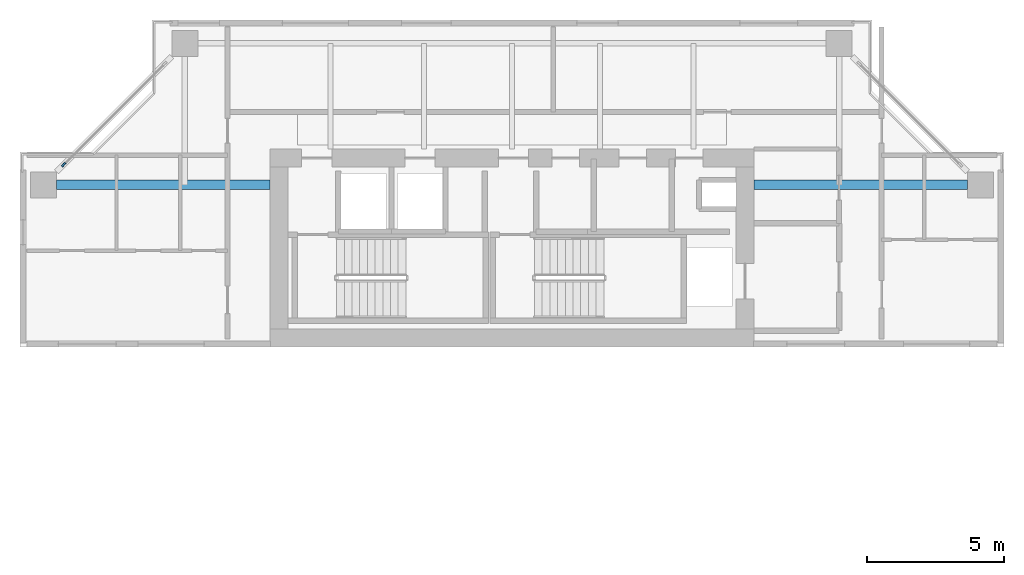
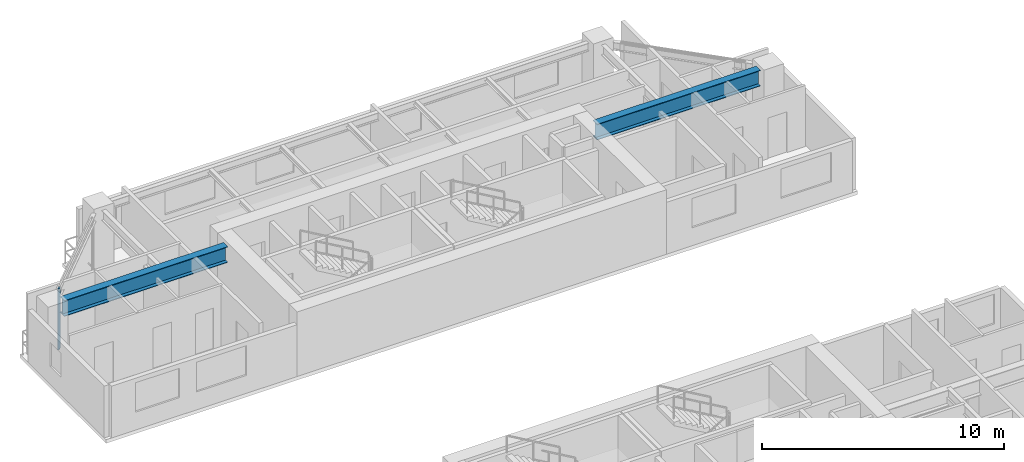
# One storey, part 3 of 12: 2 beams, 1 member, 1 element without a shape of its own.
"""IFC4 building model written with IfcOpenShell, lengths in metres."""

from ifc_helpers import new_model, si_unit, direction, frame, origin, origin_2d, place, context, subcontext, project, spatial, rectangle, i_section, extrude, source, transform, mapped, material, layer, layer_set, material_profile, profile_set, type_object, element, aggregate, save


model = new_model("IFC4")

# Units and contexts
model_context = context("Model", 3, precision=1e-05, world=origin(), true_north=direction((0.0, 1.0)))
body_context = subcontext(model_context, "Body", "Model", "MODEL_VIEW")
ifc_project = project(units=[si_unit("LENGTHUNIT", "METRE"), si_unit("AREAUNIT", "SQUARE_METRE"), si_unit("VOLUMEUNIT", "CUBIC_METRE"), si_unit("PLANEANGLEUNIT", "RADIAN"), si_unit("MASSUNIT", "GRAM", prefix="KILO"), si_unit("THERMODYNAMICTEMPERATUREUNIT", "KELVIN"), si_unit("POWERUNIT", "WATT")], contexts=[model_context])

# Site, building, storey
site_placement = place(None, origin())
site = spatial("IfcSite", under=ifc_project, at=site_placement, CompositionType="ELEMENT")
building_placement = place(site_placement, origin())
building = spatial("IfcBuilding", under=site, at=building_placement, Name="Qiaomeng Ring Towers", CompositionType="ELEMENT")
storey_placement = place(building_placement, frame((0.0, 0.0, 160.0)))
storey = spatial("IfcBuildingStorey", under=building, at=storey_placement, Name="L46", CompositionType="ELEMENT", Elevation=160.0)

# Beams
ifc_material_1 = material(Name="Steel Q390GJC", Category="steel")
ifc_material_profile_1 = material_profile(ifc_material_1, i_section(OverallWidth=0.35009765625, OverallDepth=0.800048828125, WebThickness=0.01611328125, FlangeThickness=0.028076171875, at=origin_2d()), Name="WH 800x350x16x28")
ifc_profile_set_1 = profile_set([ifc_material_profile_1], Name="Steel Q390GJC")
beam_type = type_object("IfcBeamType", Name="STR-BM-WH800", PredefinedType="BEAM", material=ifc_profile_set_1)
shared_shape_1 = source(origin(), body_context, "Body", "SweptSolid", [
    extrude(i_section(OverallWidth=0.35009765625, OverallDepth=0.800048828125, WebThickness=0.01611328125, FlangeThickness=0.028076171875, at=origin_2d()), origin(), (0.0, 0.0, 1.0), 7.77587890625),
])
for number, where, z_axis, x_axis, name in (
    (1, (2.424072265625, 34.89990234375, 2.669921875), (1.0, 0.0, 0.0), (0.0, 1.0, 0.0), "L46 beam STR-BM-L46-T1-RAD-W4"),
    (2, (27.800048828125, 34.89990234375, 2.669921875), (1.0, 0.0, 0.0), (0.0, 1.0, 0.0), "L46 beam STR-BM-L46-T1-RAD-E4"),
):
    element("IfcBeam", number, at=place(storey_placement, frame(where, z_axis=z_axis, x_axis=x_axis)), inside=storey, type_object=beam_type, Name=name, PredefinedType="BEAM", context=body_context, shape_type="MappedRepresentation", body=[
        mapped(shared_shape_1, transform((0.0, 0.0, 0.0), x_axis=(1.0, 0.0, 0.0), y_axis=(0.0, 1.0, 0.0), z_axis=(0.0, 0.0, 1.0), scale=1.0)),
    ])

# Curtain wall, member
ifc_material_2 = material(Name="Fluorocarbon dark-grey aluminium", Category="aluminium")
ifc_layer = layer(ifc_material_2, 0.14990234375, Name="Fluorocarbon dark-grey aluminium")
ifc_layer_set = layer_set([ifc_layer], Name="Fluorocarbon dark-grey aluminium")
curtain_wall_type = type_object("IfcCurtainWallType", Name="ARC-CW-3", PredefinedType="NOTDEFINED", material=ifc_layer_set)
curtain_wall_placement = place(storey_placement, origin())
curtain_wall = element("IfcCurtainWall", 3, at=curtain_wall_placement, inside=storey, type_object=curtain_wall_type, Name="L46 Curtain Wall CW3", PredefinedType="NOTDEFINED")
ifc_material_profile_2 = material_profile(ifc_material_2, rectangle(XDim=0.070068359375, YDim=0.179931640625, at=origin_2d()), Name="ALU MULL 70x180")
ifc_profile_set_2 = profile_set([ifc_material_profile_2], Name="Fluorocarbon dark-grey aluminium")
member_type = type_object("IfcMemberType", Name="ARC-CWM-160", PredefinedType="MULLION", material=ifc_profile_set_2)
shared_shape_2 = source(origin(), body_context, "Body", "SweptSolid", [
    extrude(rectangle(XDim=0.070068359375, YDim=0.179931640625, at=origin_2d()), origin(), (0.0, 0.0, 1.0), 3.070068359375),
])
member_placement = place(storey_placement, frame((2.689697265625, 35.6396484375, 0.0), z_axis=(0.0, 0.0, 1.0), x_axis=(0.707106781187, -0.707106781187, 0.0)))
member = element("IfcMember", 4, at=member_placement, type_object=member_type, Name="CW3 mullion 2", PredefinedType="MULLION", context=body_context, shape_type="MappedRepresentation", body=[
    mapped(shared_shape_2, transform((0.0, 0.0, 0.0), x_axis=(1.0, 0.0, 0.0), y_axis=(0.0, 1.0, 0.0), z_axis=(0.0, 0.0, 1.0), scale=1.0)),
])
aggregate(curtain_wall, [member])

save(model, "model.ifc")
